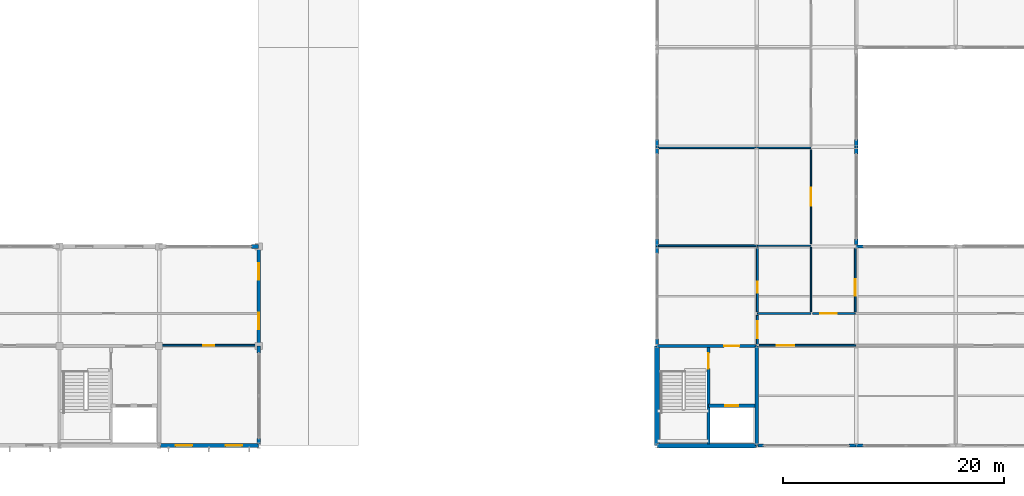
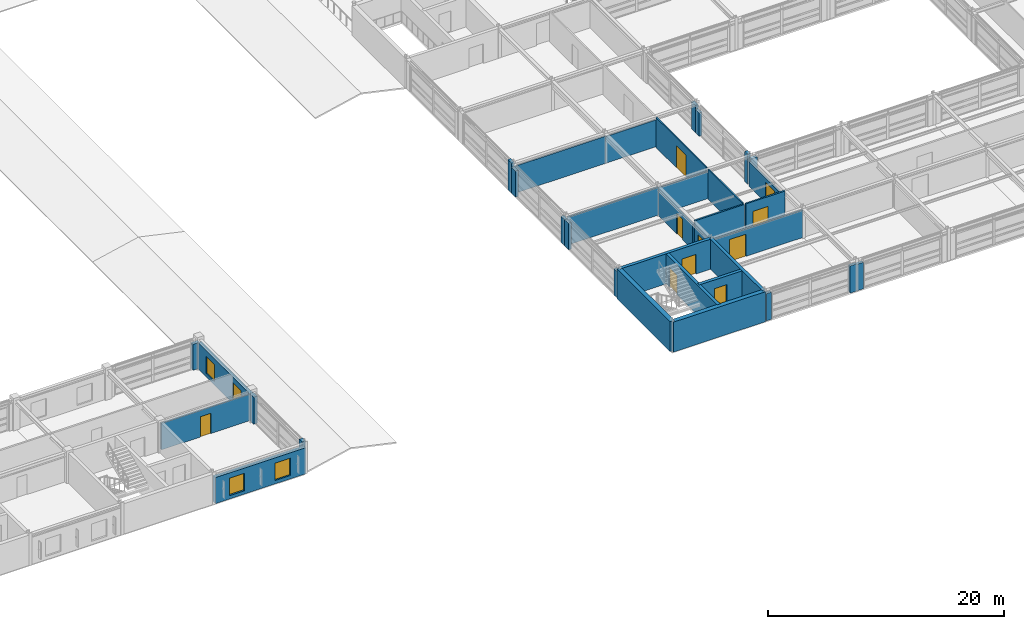
# One storey, part 74 of 91: 36 walls, 10 doors, 4 windows, 14 openings.
"""IFC4 building model written with IfcOpenShell, lengths in metres."""

from ifc_helpers import new_model, si_unit, direction, frame, frame_2d, origin, place, context, subcontext, project, spatial, rectangle, extrude, material, layer, layer_set, type_object, element, fill, save


model = new_model("IFC4")

# Units and contexts
model_context = context("Model", 3, precision=1e-05, world=origin(), true_north=direction((0.0, 1.0)))
body_context = subcontext(model_context, "Body", "Model", "MODEL_VIEW")
ifc_project = project(units=[si_unit("LENGTHUNIT", "METRE"), si_unit("AREAUNIT", "SQUARE_METRE"), si_unit("VOLUMEUNIT", "CUBIC_METRE"), si_unit("PLANEANGLEUNIT", "RADIAN"), si_unit("MASSUNIT", "GRAM", prefix="KILO")], contexts=[model_context])

# Site, building, storey
site_placement = place(None, origin())
site = spatial("IfcSite", under=ifc_project, at=site_placement, CompositionType="ELEMENT")
building_placement = place(site_placement, origin())
building = spatial("IfcBuilding", under=site, at=building_placement, Name="Palais des Congres Ocreval", CompositionType="ELEMENT")
storey_placement = place(building_placement, frame((0.0, 0.0, 8.159912109375)))
storey = spatial("IfcBuildingStorey", under=building, at=storey_placement, Name="L02", CompositionType="ELEMENT", Elevation=8.159912109375)

# Walls
ifc_material_1 = material(Name="Concrete C40/50", Category="concrete")
ifc_layer_1 = layer(ifc_material_1, 0.419921875)
ifc_layer_set_1 = layer_set([ifc_layer_1], Name="Congress Stone Facade Wall 420 Concrete C40/50")
wall_type_1 = type_object("IfcWallType", Name="Congress Stone Facade Wall 420 Concrete C40/50", PredefinedType="SOLIDWALL", material=ifc_layer_set_1)
for number, where, z_axis, x_axis, name in (
    (1, (117.0, 0.0, 0.0), (0.0, 0.0, 1.0), (-1.0, 0.0, 0.0), "Core Perimeter Shear Wall EW02 SC09 L02"),
    (2, (108.0, 0.0, 0.0), (0.0, 0.0, 1.0), (0.0, 1.0, 0.0), "Core Perimeter Shear Wall EW02 SC09 L02"),
):
    element("IfcWall", number, at=place(storey_placement, frame(where, z_axis=z_axis, x_axis=x_axis)), inside=storey, type_object=wall_type_1, Name=name, PredefinedType="SOLIDWALL", context=body_context, shape_type="SweptSolid", body=[
        extrude(rectangle(XDim=9.0, YDim=0.419921875, at=frame_2d((4.5, 0.0))), origin(), (0.0, 0.0, 1.0), 3.110107421875),
    ])
ifc_layer_2 = layer(ifc_material_1, 0.300048828125)
ifc_layer_set_2 = layer_set([ifc_layer_2], Name="Core Shear Wall 300 Concrete C40/50")
wall_type_2 = type_object("IfcWallType", Name="Core Shear Wall 300 Concrete C40/50", PredefinedType="SHEAR", material=ifc_layer_set_2)
wall_1_placement = place(storey_placement, frame((117.0, 0.0, 0.0), z_axis=(0.0, 0.0, 1.0), x_axis=(0.0, 1.0, 0.0)))
element("IfcWall", 3, at=wall_1_placement, inside=storey, type_object=wall_type_2, Name="Core Shear Wall SC09 L02 E", PredefinedType="SHEAR", context=body_context, shape_type="SweptSolid", body=[
    extrude(rectangle(XDim=9.0, YDim=0.300048828125, at=frame_2d((4.5, 0.0))), origin(), (0.0, 0.0, 1.0), 3.110107421875),
])

# Wall, opening, door
wall_2_placement = place(storey_placement, frame((108.0, 9.0, 0.0), z_axis=(0.0, 0.0, 1.0), x_axis=(1.0, 0.0, 0.0)))
wall_2 = element("IfcWall", 4, at=wall_2_placement, inside=storey, type_object=wall_type_2, Name="Core Shear Wall SC09 L02 N", PredefinedType="SHEAR", context=body_context, shape_type="SweptSolid", body=[
    extrude(rectangle(XDim=9.0, YDim=0.300048828125, at=frame_2d((4.5, 0.0))), origin(), (0.0, 0.0, 1.0), 3.110107421875),
])
opening_1_placement = place(wall_2_placement, frame((6.050048828125, 0.0, 0.0)))
opening_1 = element("IfcOpeningElement", 5, at=opening_1_placement, cuts=wall_2, Name="Opening D03", PredefinedType="OPENING", context=body_context, shape_type="SweptSolid", body=[
    extrude(rectangle(XDim=1.39990234375, YDim=2.02001953125, at=frame_2d((0.699951171875, 1.010009765625))), frame((0.0, 0.159912109375, 0.0), z_axis=(0.0, -1.0, 0.0), x_axis=(1.0, 0.0, 0.0)), (0.0, 0.0, 1.0), 0.320068359375),
])
ifc_material_2 = material(Name="Painted fire-rated steel", Category="steel")
door_type_1 = type_object("IfcDoorType", Name="Core Lobby Rated Door 1400x2020", OperationType="NOTDEFINED", PredefinedType="DOOR", material=ifc_material_2)
door_1_placement = place(opening_1_placement, origin())
door_1 = element("IfcDoor", 6, at=door_1_placement, inside=storey, type_object=door_type_1, Name="Lobby Entrance Door SC09 L02", OperationType="DOUBLE_DOOR_SINGLE_SWING", OverallHeight=2.02001953125, OverallWidth=1.39990234375, PredefinedType="DOOR", context=body_context, shape_type="SweptSolid", body=[
    extrude(rectangle(XDim=1.39990234375, YDim=2.02001953125, at=frame_2d((0.699951171875, 1.010009765625))), frame((0.0, 0.02490234375, 0.0), z_axis=(0.0, -1.0, 0.0), x_axis=(1.0, 0.0, 0.0)), (0.0, 0.0, 1.0), 0.050048828125),
])
fill(opening_1, door_1)

wall_3_placement = place(storey_placement, frame((112.64990234375, 0.14990234375, 0.0), z_axis=(0.0, 0.0, 1.0), x_axis=(0.0, 1.0, 0.0)))
wall_3 = element("IfcWall", 7, at=wall_3_placement, inside=storey, type_object=wall_type_2, Name="Core Spine Shear Wall SC09 L02", PredefinedType="SHEAR", context=body_context, shape_type="SweptSolid", body=[
    extrude(rectangle(XDim=8.7001953125, YDim=0.300048828125, at=frame_2d((4.35009765625, 0.0))), origin(), (0.0, 0.0, 1.0), 3.110107421875),
])
opening_2_placement = place(wall_3_placement, frame((6.800048828125, 0.0, 0.0)))
opening_2 = element("IfcOpeningElement", 8, at=opening_2_placement, cuts=wall_3, Name="Opening D03", PredefinedType="OPENING", context=body_context, shape_type="SweptSolid", body=[
    extrude(rectangle(XDim=1.39990234375, YDim=2.02001953125, at=frame_2d((0.699951171875, 1.010009765625))), frame((0.0, 0.159912109375, 0.0), z_axis=(0.0, -1.0, 0.0), x_axis=(1.0, 0.0, 0.0)), (0.0, 0.0, 1.0), 0.320068359375),
])
door_2_placement = place(opening_2_placement, origin())
door_2 = element("IfcDoor", 9, at=door_2_placement, inside=storey, type_object=door_type_1, Name="Protected Exit Stair Door ST09 L02", OperationType="SINGLE_SWING_LEFT", OverallHeight=2.02001953125, OverallWidth=1.39990234375, PredefinedType="DOOR", context=body_context, shape_type="SweptSolid", body=[
    extrude(rectangle(XDim=1.39990234375, YDim=2.02001953125, at=frame_2d((0.699951171875, 1.010009765625))), frame((0.0, 0.02490234375, 0.0), z_axis=(0.0, -1.0, 0.0), x_axis=(1.0, 0.0, 0.0)), (0.0, 0.0, 1.0), 0.050048828125),
])
fill(opening_2, door_2)

wall_4_placement = place(storey_placement, frame((112.64990234375, 3.60009765625, 0.0), z_axis=(0.0, 0.0, 1.0), x_axis=(1.0, 0.0, 0.0)))
wall_4 = element("IfcWall", 10, at=wall_4_placement, inside=storey, type_object=wall_type_2, Name="Lift Shaft Front Wall SC09 L02", PredefinedType="SHEAR", context=body_context, shape_type="SweptSolid", body=[
    extrude(rectangle(XDim=4.2001953125, YDim=0.300048828125, at=frame_2d((2.10009765625, 0.0))), origin(), (0.0, 0.0, 1.0), 3.110107421875),
])
opening_3_placement = place(wall_4_placement, frame((1.5, 0.0, 0.0)))
opening_3 = element("IfcOpeningElement", 11, at=opening_3_placement, cuts=wall_4, Name="Opening LD02", PredefinedType="OPENING", context=body_context, shape_type="SweptSolid", body=[
    extrude(rectangle(XDim=1.199951171875, YDim=2.199951171875, at=frame_2d((0.60009765625, 1.10009765625))), frame((0.0, 0.159912109375, 0.0), z_axis=(0.0, -1.0, 0.0), x_axis=(1.0, 0.0, 0.0)), (0.0, 0.0, 1.0), 0.320068359375),
])
ifc_material_3 = material(Name="Anodized bronze steel", Category="steel")
door_type_2 = type_object("IfcDoorType", Name="Passenger and Service Lift Sliding Door 1200x2200", OperationType="NOTDEFINED", PredefinedType="DOOR", material=ifc_material_3)
door_3_placement = place(opening_3_placement, origin())
door_3 = element("IfcDoor", 12, at=door_3_placement, inside=storey, type_object=door_type_2, Name="Lift Landing Sliding Door CL3 L02", OperationType="DOUBLE_DOOR_SLIDING", OverallHeight=2.199951171875, OverallWidth=1.199951171875, PredefinedType="DOOR", context=body_context, shape_type="SweptSolid", body=[
    extrude(rectangle(XDim=1.199951171875, YDim=2.199951171875, at=frame_2d((0.60009765625, 1.10009765625))), frame((0.0, 0.02490234375, 0.0), z_axis=(0.0, -1.0, 0.0), x_axis=(1.0, 0.0, 0.0)), (0.0, 0.0, 1.0), 0.050048828125),
])
fill(opening_3, door_3)

# Walls
ifc_material_4 = material(Name="Gypsum acoustic partition")
ifc_layer_3 = layer(ifc_material_4, 0.159912109375)
ifc_layer_set_3 = layer_set([ifc_layer_3], Name="Corridor Fire Partition 160 Gypsum (Gypsum acoustic partition)")
wall_type_3 = type_object("IfcWallType", Name="Corridor Fire Partition 160 Gypsum", PredefinedType="PARTITIONING", material=ifc_layer_set_3)
wall_5_placement = place(storey_placement, frame((108.14501953125, 18.06494140625, 0.0), z_axis=(0.0, 0.0, 1.0), x_axis=(1.0, 0.0, 0.0)))
element("IfcWall", 13, at=wall_5_placement, inside=storey, type_object=wall_type_3, Name="Interior Partition IW03 L02", PredefinedType="PARTITIONING", context=body_context, shape_type="SweptSolid", body=[
    extrude(rectangle(XDim=8.9150390625, YDim=0.159912109375, at=frame_2d((4.45751953125, 0.0))), origin(), (0.0, 0.0, 1.0), 2.8701171875),
])
wall_6_placement = place(storey_placement, frame((117.070068359375, 11.93505859375, 0.0), z_axis=(0.0, 0.0, 1.0), x_axis=(1.0, 0.0, 0.0)))
element("IfcWall", 14, at=wall_6_placement, inside=storey, type_object=wall_type_3, Name="Interior Partition IW03 L02", PredefinedType="PARTITIONING", context=body_context, shape_type="SweptSolid", body=[
    extrude(rectangle(XDim=4.829833984375, YDim=0.159912109375, at=frame_2d((2.4150390625, 0.0))), origin(), (0.0, 0.0, 1.0), 3.110107421875),
])

# Wall, opening, door
wall_7_placement = place(storey_placement, frame((63.155029296875, 9.06494140625, 0.0), z_axis=(0.0, 0.0, 1.0), x_axis=(1.0, 0.0, 0.0)))
wall_7 = element("IfcWall", 15, at=wall_7_placement, inside=storey, type_object=wall_type_3, Name="Interior Partition IW03 L02", PredefinedType="PARTITIONING", context=body_context, shape_type="SweptSolid", body=[
    extrude(rectangle(XDim=8.669921875, YDim=0.159912109375, at=frame_2d((4.3349609375, 0.0))), origin(), (0.0, 0.0, 1.0), 2.739990234375),
])
opening_4_placement = place(wall_7_placement, frame((3.8349609375, 0.0, 0.0)))
opening_4 = element("IfcOpeningElement", 16, at=opening_4_placement, cuts=wall_7, Name="Opening D10", PredefinedType="OPENING", context=body_context, shape_type="SweptSolid", body=[
    extrude(rectangle(XDim=1.0, YDim=2.10009765625, at=frame_2d((0.5, 1.050048828125))), frame((0.0, 0.08984375, 0.0), z_axis=(0.0, -1.0, 0.0), x_axis=(1.0, 0.0, 0.0)), (0.0, 0.0, 1.0), 0.179931640625),
])
ifc_material_5 = material(Name="Painted steel", Category="steel")
door_type_3 = type_object("IfcDoorType", Name="Service and Pantry Door 1000x2100", OperationType="NOTDEFINED", PredefinedType="DOOR", material=ifc_material_5)
door_4_placement = place(opening_4_placement, origin())
door_4 = element("IfcDoor", 17, at=door_4_placement, inside=storey, type_object=door_type_3, Name="Interior Door D10 L02", OperationType="SINGLE_SWING_RIGHT", OverallHeight=2.10009765625, OverallWidth=1.0, PredefinedType="DOOR", context=body_context, shape_type="SweptSolid", body=[
    extrude(rectangle(XDim=1.0, YDim=2.10009765625, at=frame_2d((0.5, 1.050048828125))), frame((0.0, 0.02490234375, 0.0), z_axis=(0.0, -1.0, 0.0), x_axis=(1.0, 0.0, 0.0)), (0.0, 0.0, 1.0), 0.050048828125),
])
fill(opening_4, door_4)

wall_8_placement = place(storey_placement, frame((117.06494140625, 9.155029296875, 0.0), z_axis=(0.0, 0.0, 1.0), x_axis=(0.0, 1.0, 0.0)))
wall_8 = element("IfcWall", 18, at=wall_8_placement, inside=storey, type_object=wall_type_3, Name="Interior Partition IW03 L02", PredefinedType="PARTITIONING", context=body_context, shape_type="SweptSolid", body=[
    extrude(rectangle(XDim=2.625, YDim=0.159912109375, at=frame_2d((1.3125, 0.0))), origin(), (0.0, 0.0, 1.0), 2.610107421875),
])
opening_5_placement = place(wall_8_placement, frame((0.5625, 0.0, 0.0)))
opening_5 = element("IfcOpeningElement", 19, at=opening_5_placement, cuts=wall_8, Name="Opening D04", PredefinedType="OPENING", context=body_context, shape_type="SweptSolid", body=[
    extrude(rectangle(XDim=1.5, YDim=2.10009765625, at=frame_2d((0.75, 1.050048828125))), frame((0.0, 0.08984375, 0.0), z_axis=(0.0, -1.0, 0.0), x_axis=(1.0, 0.0, 0.0)), (0.0, 0.0, 1.0), 0.179931640625),
])
ifc_material_6 = material(Name="Solid French oak fire door", Category="wood")
door_type_4 = type_object("IfcDoorType", Name="Corridor Compartment Double Door 1500x2100", OperationType="NOTDEFINED", PredefinedType="DOOR", material=ifc_material_6)
door_5_placement = place(opening_5_placement, origin())
door_5 = element("IfcDoor", 20, at=door_5_placement, inside=storey, type_object=door_type_4, Name="Interior Door D04 L02", OperationType="DOUBLE_DOOR_SINGLE_SWING", OverallHeight=2.10009765625, OverallWidth=1.5, PredefinedType="DOOR", context=body_context, shape_type="SweptSolid", body=[
    extrude(rectangle(XDim=1.5, YDim=2.10009765625, at=frame_2d((0.75, 1.050048828125))), frame((0.0, 0.02490234375, 0.0), z_axis=(0.0, -1.0, 0.0), x_axis=(1.0, 0.0, 0.0)), (0.0, 0.0, 1.0), 0.050048828125),
])
fill(opening_5, door_5)

wall_9_placement = place(storey_placement, frame((117.06494140625, 12.090087890625, 0.0), z_axis=(0.0, 0.0, 1.0), x_axis=(0.0, 1.0, 0.0)))
wall_9 = element("IfcWall", 21, at=wall_9_placement, inside=storey, type_object=wall_type_3, Name="Interior Partition IW03 L02", PredefinedType="PARTITIONING", context=body_context, shape_type="SweptSolid", body=[
    extrude(rectangle(XDim=5.81982421875, YDim=0.159912109375, at=frame_2d((2.909912109375, 0.0))), origin(), (0.0, 0.0, 1.0), 2.610107421875),
])
opening_6_placement = place(wall_9_placement, frame((1.711669921875, 0.0, 0.0)))
opening_6 = element("IfcOpeningElement", 22, at=opening_6_placement, cuts=wall_9, Name="Opening D10", PredefinedType="OPENING", context=body_context, shape_type="SweptSolid", body=[
    extrude(rectangle(XDim=1.0, YDim=2.10009765625, at=frame_2d((0.5, 1.050048828125))), frame((0.0, 0.08984375, 0.0), z_axis=(0.0, -1.0, 0.0), x_axis=(1.0, 0.0, 0.0)), (0.0, 0.0, 1.0), 0.179931640625),
])
door_6_placement = place(opening_6_placement, origin())
door_6 = element("IfcDoor", 23, at=door_6_placement, inside=storey, type_object=door_type_3, Name="Interior Door D10 L02", OperationType="SINGLE_SWING_LEFT", OverallHeight=2.10009765625, OverallWidth=1.0, PredefinedType="DOOR", context=body_context, shape_type="SweptSolid", body=[
    extrude(rectangle(XDim=1.0, YDim=2.10009765625, at=frame_2d((0.5, 1.050048828125))), frame((0.0, 0.02490234375, 0.0), z_axis=(0.0, -1.0, 0.0), x_axis=(1.0, 0.0, 0.0)), (0.0, 0.0, 1.0), 0.050048828125),
])
fill(opening_6, door_6)

wall_10_placement = place(storey_placement, frame((117.219970703125, 9.06494140625, 0.0), z_axis=(0.0, 0.0, 1.0), x_axis=(1.0, 0.0, 0.0)))
wall_10 = element("IfcWall", 24, at=wall_10_placement, inside=storey, type_object=wall_type_3, Name="Interior Partition IW03 L02", PredefinedType="PARTITIONING", context=body_context, shape_type="SweptSolid", body=[
    extrude(rectangle(XDim=8.760009765625, YDim=0.159912109375, at=frame_2d((4.3798828125, 0.0))), origin(), (0.0, 0.0, 1.0), 2.830078125),
])
opening_7_placement = place(wall_10_placement, frame((1.60009765625, 0.0, 0.0)))
opening_7 = element("IfcOpeningElement", 25, at=opening_7_placement, cuts=wall_10, Name="Opening D12", PredefinedType="OPENING", context=body_context, shape_type="SweptSolid", body=[
    extrude(rectangle(XDim=1.60009765625, YDim=2.300048828125, at=frame_2d((0.800048828125, 1.14990234375))), frame((0.0, 0.08984375, 0.0), z_axis=(0.0, -1.0, 0.0), x_axis=(1.0, 0.0, 0.0)), (0.0, 0.0, 1.0), 0.179931640625),
])
ifc_material_7 = material(Name="Solid French oak", Category="wood")
door_type_5 = type_object("IfcDoorType", Name="Meeting Room Acoustic Double Door 1600x2300", OperationType="NOTDEFINED", PredefinedType="DOOR", material=ifc_material_7)
door_7_placement = place(opening_7_placement, origin())
door_7 = element("IfcDoor", 26, at=door_7_placement, inside=storey, type_object=door_type_5, Name="Interior Door D12 L02", OperationType="DOUBLE_DOOR_SINGLE_SWING", OverallHeight=2.300048828125, OverallWidth=1.60009765625, PredefinedType="DOOR", context=body_context, shape_type="SweptSolid", body=[
    extrude(rectangle(XDim=1.60009765625, YDim=2.300048828125, at=frame_2d((0.800048828125, 1.14990234375))), frame((0.0, 0.02490234375, 0.0), z_axis=(0.0, -1.0, 0.0), x_axis=(1.0, 0.0, 0.0)), (0.0, 0.0, 1.0), 0.050048828125),
])
fill(opening_7, door_7)

wall_11_placement = place(storey_placement, frame((122.06494140625, 11.93505859375, 0.0), z_axis=(0.0, 0.0, 1.0), x_axis=(1.0, 0.0, 0.0)))
wall_11 = element("IfcWall", 27, at=wall_11_placement, inside=storey, type_object=wall_type_3, Name="Interior Partition IW03 L02", PredefinedType="PARTITIONING", context=body_context, shape_type="SweptSolid", body=[
    extrude(rectangle(XDim=3.8349609375, YDim=0.159912109375, at=frame_2d((1.91748046875, 0.0))), origin(), (0.0, 0.0, 1.0), 3.110107421875),
])
opening_8_placement = place(wall_11_placement, frame((0.68505859375, 0.0, 0.0)))
opening_8 = element("IfcOpeningElement", 28, at=opening_8_placement, cuts=wall_11, Name="Opening D04", PredefinedType="OPENING", context=body_context, shape_type="SweptSolid", body=[
    extrude(rectangle(XDim=1.5, YDim=2.10009765625, at=frame_2d((0.75, 1.050048828125))), frame((0.0, 0.08984375, 0.0), z_axis=(0.0, -1.0, 0.0), x_axis=(1.0, 0.0, 0.0)), (0.0, 0.0, 1.0), 0.179931640625),
])
door_8_placement = place(opening_8_placement, origin())
door_8 = element("IfcDoor", 29, at=door_8_placement, inside=storey, type_object=door_type_4, Name="Interior Door D04 L02", OperationType="DOUBLE_DOOR_SINGLE_SWING", OverallHeight=2.10009765625, OverallWidth=1.5, PredefinedType="DOOR", context=body_context, shape_type="SweptSolid", body=[
    extrude(rectangle(XDim=1.5, YDim=2.10009765625, at=frame_2d((0.75, 1.050048828125))), frame((0.0, 0.02490234375, 0.0), z_axis=(0.0, -1.0, 0.0), x_axis=(1.0, 0.0, 0.0)), (0.0, 0.0, 1.0), 0.050048828125),
])
fill(opening_8, door_8)

wall_12_placement = place(storey_placement, frame((125.909912109375, 12.090087890625, 0.0), z_axis=(0.0, 0.0, 1.0), x_axis=(0.0, 1.0, 0.0)))
wall_12 = element("IfcWall", 30, at=wall_12_placement, inside=storey, type_object=wall_type_3, Name="Interior Partition IW03 L02", PredefinedType="PARTITIONING", context=body_context, shape_type="SweptSolid", body=[
    extrude(rectangle(XDim=5.764892578125, YDim=0.159912109375, at=frame_2d((2.88232421875, 0.0))), origin(), (0.0, 0.0, 1.0), 2.510009765625),
])
opening_9_placement = place(wall_12_placement, frame((1.440673828125, 0.0, 0.0)))
opening_9 = element("IfcOpeningElement", 31, at=opening_9_placement, cuts=wall_12, Name="Opening D04", PredefinedType="OPENING", context=body_context, shape_type="SweptSolid", body=[
    extrude(rectangle(XDim=1.5, YDim=2.10009765625, at=frame_2d((0.75, 1.050048828125))), frame((0.0, 0.08984375, 0.0), z_axis=(0.0, -1.0, 0.0), x_axis=(1.0, 0.0, 0.0)), (0.0, 0.0, 1.0), 0.179931640625),
])
door_9_placement = place(opening_9_placement, origin())
door_9 = element("IfcDoor", 32, at=door_9_placement, inside=storey, type_object=door_type_4, Name="Interior Door D04 L02", OperationType="DOUBLE_DOOR_SINGLE_SWING", OverallHeight=2.10009765625, OverallWidth=1.5, PredefinedType="DOOR", context=body_context, shape_type="SweptSolid", body=[
    extrude(rectangle(XDim=1.5, YDim=2.10009765625, at=frame_2d((0.75, 1.050048828125))), frame((0.0, 0.02490234375, 0.0), z_axis=(0.0, -1.0, 0.0), x_axis=(1.0, 0.0, 0.0)), (0.0, 0.0, 1.0), 0.050048828125),
])
fill(opening_9, door_9)

# Wall, openings, windows
ifc_layer_4 = layer(ifc_material_1, 0.3798828125)
ifc_layer_set_4 = layer_set([ifc_layer_4], Name="Lutetian Limestone Street Wall 380 Concrete C40/50")
wall_type_4 = type_object("IfcWallType", Name="Lutetian Limestone Street Wall 380 Concrete C40/50", PredefinedType="SOLIDWALL", material=ifc_layer_set_4)
wall_13_placement = place(storey_placement, frame((72.0, 0.0, 0.0), z_axis=(0.0, 0.0, 1.0), x_axis=(-1.0, 0.0, 0.0)))
wall_13 = element("IfcWall", 33, at=wall_13_placement, inside=storey, type_object=wall_type_4, Name="Exterior Wall EW03 L02", PredefinedType="SOLIDWALL", context=body_context, shape_type="SweptSolid", body=[
    extrude(rectangle(XDim=8.8701171875, YDim=0.3798828125, at=frame_2d((4.43505859375, 0.0))), origin(), (0.0, 0.0, 1.0), 2.7001953125),
])
opening_10_placement = place(wall_13_placement, frame((1.5, 0.0, 0.35009765625)))
opening_10 = element("IfcOpeningElement", 34, at=opening_10_placement, cuts=wall_13, Name="Opening WN06", PredefinedType="OPENING", context=body_context, shape_type="SweptSolid", body=[
    extrude(rectangle(XDim=1.5, YDim=1.800048828125, at=frame_2d((0.75, 0.89990234375))), frame((0.0, 0.199951171875, 0.0), z_axis=(0.0, -1.0, 0.0), x_axis=(1.0, 0.0, 0.0)), (0.0, 0.0, 1.0), 0.39990234375),
])
opening_11_placement = place(wall_13_placement, frame((6.0, 0.0, 0.35009765625)))
opening_11 = element("IfcOpeningElement", 35, at=opening_11_placement, cuts=wall_13, Name="Opening WN06", PredefinedType="OPENING", context=body_context, shape_type="SweptSolid", body=[
    extrude(rectangle(XDim=1.5, YDim=1.800048828125, at=frame_2d((0.75, 0.89990234375))), frame((0.0, 0.199951171875, 0.0), z_axis=(0.0, -1.0, 0.0), x_axis=(1.0, 0.0, 0.0)), (0.0, 0.0, 1.0), 0.39990234375),
])
ifc_material_8 = material(Name="Anodized bronze aluminium and low-E glass", Category="glass")
window_type = type_object("IfcWindowType", Name="Upper Setback Window 1500x1800", PartitioningType="SINGLE_PANEL", PredefinedType="WINDOW", material=ifc_material_8)
window_1_placement = place(opening_10_placement, origin())
window_1 = element("IfcWindow", 36, at=window_1_placement, inside=storey, type_object=window_type, Name="Hotel Facade Window WN06", OverallHeight=1.800048828125, OverallWidth=1.5, PartitioningType="SINGLE_PANEL", PredefinedType="WINDOW", context=body_context, shape_type="SweptSolid", body=[
    extrude(rectangle(XDim=1.5, YDim=1.800048828125, at=frame_2d((0.75, 0.89990234375))), frame((0.0, 0.030029296875, 0.0), z_axis=(0.0, -1.0, 0.0), x_axis=(1.0, 0.0, 0.0)), (0.0, 0.0, 1.0), 0.06005859375),
])
fill(opening_10, window_1)
window_2_placement = place(opening_11_placement, origin())
window_2 = element("IfcWindow", 37, at=window_2_placement, inside=storey, type_object=window_type, Name="Hotel Facade Window WN06", OverallHeight=1.800048828125, OverallWidth=1.5, PartitioningType="SINGLE_PANEL", PredefinedType="WINDOW", context=body_context, shape_type="SweptSolid", body=[
    extrude(rectangle(XDim=1.5, YDim=1.800048828125, at=frame_2d((0.75, 0.89990234375))), frame((0.0, 0.030029296875, 0.0), z_axis=(0.0, -1.0, 0.0), x_axis=(1.0, 0.0, 0.0)), (0.0, 0.0, 1.0), 0.06005859375),
])
fill(opening_11, window_2)

ifc_layer_5 = layer(ifc_material_1, 0.340087890625)
ifc_layer_set_5 = layer_set([ifc_layer_5], Name="Ochre Mineral-Lime Courtyard Wall 340 Concrete C40/50")
wall_type_5 = type_object("IfcWallType", Name="Ochre Mineral-Lime Courtyard Wall 340 Concrete C40/50", PredefinedType="SOLIDWALL", material=ifc_layer_set_5)
wall_14_placement = place(storey_placement, frame((72.0, 17.844970703125, 0.0), z_axis=(0.0, 0.0, 1.0), x_axis=(0.0, -1.0, 0.0)))
wall_14 = element("IfcWall", 38, at=wall_14_placement, inside=storey, type_object=wall_type_5, Name="Exterior Wall EW04 L02", PredefinedType="SOLIDWALL", context=body_context, shape_type="SweptSolid", body=[
    extrude(rectangle(XDim=8.844970703125, YDim=0.340087890625, at=frame_2d((4.42236328125, 0.0))), origin(), (0.0, 0.0, 1.0), 2.739990234375),
])
opening_12_placement = place(wall_14_placement, frame((1.344970703125, 0.0, 0.35009765625)))
opening_12 = element("IfcOpeningElement", 39, at=opening_12_placement, cuts=wall_14, Name="Opening WN06", PredefinedType="OPENING", context=body_context, shape_type="SweptSolid", body=[
    extrude(rectangle(XDim=1.5, YDim=1.800048828125, at=frame_2d((0.75, 0.89990234375))), frame((0.0, 0.179931640625, 0.0), z_axis=(0.0, -1.0, 0.0), x_axis=(1.0, 0.0, 0.0)), (0.0, 0.0, 1.0), 0.360107421875),
])
opening_13_placement = place(wall_14_placement, frame((5.844970703125, 0.0, 0.35009765625)))
opening_13 = element("IfcOpeningElement", 40, at=opening_13_placement, cuts=wall_14, Name="Opening WN06", PredefinedType="OPENING", context=body_context, shape_type="SweptSolid", body=[
    extrude(rectangle(XDim=1.5, YDim=1.800048828125, at=frame_2d((0.75, 0.89990234375))), frame((0.0, 0.179931640625, 0.0), z_axis=(0.0, -1.0, 0.0), x_axis=(1.0, 0.0, 0.0)), (0.0, 0.0, 1.0), 0.360107421875),
])
window_3_placement = place(opening_12_placement, origin())
window_3 = element("IfcWindow", 41, at=window_3_placement, inside=storey, type_object=window_type, Name="Hotel Facade Window WN06", OverallHeight=1.800048828125, OverallWidth=1.5, PartitioningType="SINGLE_PANEL", PredefinedType="WINDOW", context=body_context, shape_type="SweptSolid", body=[
    extrude(rectangle(XDim=1.5, YDim=1.800048828125, at=frame_2d((0.75, 0.89990234375))), frame((0.0, 0.030029296875, 0.0), z_axis=(0.0, -1.0, 0.0), x_axis=(1.0, 0.0, 0.0)), (0.0, 0.0, 1.0), 0.06005859375),
])
fill(opening_12, window_3)
window_4_placement = place(opening_13_placement, origin())
window_4 = element("IfcWindow", 42, at=window_4_placement, inside=storey, type_object=window_type, Name="Hotel Facade Window WN06", OverallHeight=1.800048828125, OverallWidth=1.5, PartitioningType="SINGLE_PANEL", PredefinedType="WINDOW", context=body_context, shape_type="SweptSolid", body=[
    extrude(rectangle(XDim=1.5, YDim=1.800048828125, at=frame_2d((0.75, 0.89990234375))), frame((0.0, 0.030029296875, 0.0), z_axis=(0.0, -1.0, 0.0), x_axis=(1.0, 0.0, 0.0)), (0.0, 0.0, 1.0), 0.06005859375),
])
fill(opening_13, window_4)

# Walls
wall_15_placement = place(storey_placement, frame((72.0, 9.0, 0.0), z_axis=(0.0, 0.0, 1.0), x_axis=(0.0, -1.0, 0.0)))
element("IfcWall", 43, at=wall_15_placement, inside=storey, type_object=wall_type_5, Name="Facade Pier EW04 L02", PredefinedType="SOLIDWALL", context=body_context, shape_type="SweptSolid", body=[
    extrude(rectangle(XDim=0.64990234375, YDim=0.340087890625, at=frame_2d((0.324951171875, 0.0))), origin(), (0.0, 0.0, 1.0), 2.800048828125),
])
wall_16_placement = place(storey_placement, frame((72.0, 0.64990234375, 0.0), z_axis=(0.0, 0.0, 1.0), x_axis=(0.0, -1.0, 0.0)))
element("IfcWall", 44, at=wall_16_placement, inside=storey, type_object=wall_type_5, Name="Facade Pier EW04 L02", PredefinedType="SOLIDWALL", context=body_context, shape_type="SweptSolid", body=[
    extrude(rectangle(XDim=0.494873046875, YDim=0.340087890625, at=frame_2d((0.24755859375, 0.0))), origin(), (0.0, 0.0, 1.0), 3.14013671875),
])
wall_17_placement = place(storey_placement, frame((71.35009765625, 18.0, 0.0), z_axis=(0.0, 0.0, 1.0), x_axis=(1.0, 0.0, 0.0)))
element("IfcWall", 45, at=wall_17_placement, inside=storey, type_object=wall_type_5, Name="Facade Pier EW04 L02", PredefinedType="SOLIDWALL", context=body_context, shape_type="SweptSolid", body=[
    extrude(rectangle(XDim=0.64990234375, YDim=0.340087890625, at=frame_2d((0.324951171875, 0.0))), origin(), (0.0, 0.0, 1.0), 2.7001953125),
])
ifc_material_9 = material(Name="Gypsum board partition")
ifc_layer_6 = layer(ifc_material_9, 0.1201171875)
ifc_layer_set_6 = layer_set([ifc_layer_6], Name="Suite Subdivision Partition 120 Gypsum (Gypsum board partition)")
wall_type_6 = type_object("IfcWallType", Name="Suite Subdivision Partition 120 Gypsum", PredefinedType="PARTITIONING", material=ifc_layer_set_6)
wall_18_placement = place(storey_placement, frame((117.070068359375, 18.06494140625, 0.0), z_axis=(0.0, 0.0, 1.0), x_axis=(1.0, 0.0, 0.0)))
element("IfcWall", 46, at=wall_18_placement, inside=storey, type_object=wall_type_6, Name="Interior Partition IW04 L02", PredefinedType="PARTITIONING", context=body_context, shape_type="SweptSolid", body=[
    extrude(rectangle(XDim=4.829833984375, YDim=0.1201171875, at=frame_2d((2.4150390625, 0.0))), origin(), (0.0, 0.0, 1.0), 2.800048828125),
])
wall_19_placement = place(storey_placement, frame((121.909912109375, 12.090087890625, 0.0), z_axis=(0.0, 0.0, 1.0), x_axis=(0.0, 1.0, 0.0)))
element("IfcWall", 47, at=wall_19_placement, inside=storey, type_object=wall_type_6, Name="Interior Partition IW04 L02", PredefinedType="PARTITIONING", context=body_context, shape_type="SweptSolid", body=[
    extrude(rectangle(XDim=5.81982421875, YDim=0.1201171875, at=frame_2d((2.909912109375, 0.0))), origin(), (0.0, 0.0, 1.0), 3.110107421875),
])
wall_20_placement = place(storey_placement, frame((108.14501953125, 26.909912109375, 0.0), z_axis=(0.0, 0.0, 1.0), x_axis=(1.0, 0.0, 0.0)))
element("IfcWall", 48, at=wall_20_placement, inside=storey, type_object=wall_type_6, Name="Interior Partition IW04 L02", PredefinedType="PARTITIONING", context=body_context, shape_type="SweptSolid", body=[
    extrude(rectangle(XDim=8.8349609375, YDim=0.1201171875, at=frame_2d((4.41748046875, 0.0))), origin(), (0.0, 0.0, 1.0), 2.81005859375),
])

# Wall, opening, door
wall_21_placement = place(storey_placement, frame((121.909912109375, 18.219970703125, 0.0), z_axis=(0.0, 0.0, 1.0), x_axis=(0.0, 1.0, 0.0)))
wall_21 = element("IfcWall", 49, at=wall_21_placement, inside=storey, type_object=wall_type_6, Name="Interior Partition IW04 L02", PredefinedType="PARTITIONING", context=body_context, shape_type="SweptSolid", body=[
    extrude(rectangle(XDim=8.534912109375, YDim=0.1201171875, at=frame_2d((4.267578125, 0.0))), origin(), (0.0, 0.0, 1.0), 3.110107421875),
])
opening_14_placement = place(wall_21_placement, frame((3.467529296875, 0.0, 0.0)))
opening_14 = element("IfcOpeningElement", 50, at=opening_14_placement, cuts=wall_21, Name="Opening D12", PredefinedType="OPENING", context=body_context, shape_type="SweptSolid", body=[
    extrude(rectangle(XDim=1.60009765625, YDim=2.300048828125, at=frame_2d((0.800048828125, 1.14990234375))), frame((0.0, 0.070068359375, 0.0), z_axis=(0.0, -1.0, 0.0), x_axis=(1.0, 0.0, 0.0)), (0.0, 0.0, 1.0), 0.14013671875),
])
door_10_placement = place(opening_14_placement, origin())
door_10 = element("IfcDoor", 51, at=door_10_placement, inside=storey, type_object=door_type_5, Name="Interior Door D12 L02", OperationType="DOUBLE_DOOR_SINGLE_SWING", OverallHeight=2.300048828125, OverallWidth=1.60009765625, PredefinedType="DOOR", context=body_context, shape_type="SweptSolid", body=[
    extrude(rectangle(XDim=1.60009765625, YDim=2.300048828125, at=frame_2d((0.800048828125, 1.14990234375))), frame((0.0, 0.02490234375, 0.0), z_axis=(0.0, -1.0, 0.0), x_axis=(1.0, 0.0, 0.0)), (0.0, 0.0, 1.0), 0.050048828125),
])
fill(opening_14, door_10)

# Walls
wall_22_placement = place(storey_placement, frame((116.97998046875, 26.909912109375, 0.0), z_axis=(0.0, 0.0, 1.0), x_axis=(1.0, 0.0, 0.0)))
element("IfcWall", 52, at=wall_22_placement, inside=storey, type_object=wall_type_6, Name="Interior Partition IW04 L02", PredefinedType="PARTITIONING", context=body_context, shape_type="SweptSolid", body=[
    extrude(rectangle(XDim=4.919921875, YDim=0.1201171875, at=frame_2d((2.4599609375, 0.0))), origin(), (0.0, 0.0, 1.0), 2.77001953125),
])
ifc_layer_7 = layer(ifc_material_1, 0.280029296875)
ifc_layer_set_7 = layer_set([ifc_layer_7], Name="Terracotta Mineral-Lime Facade Wall 280 Concrete C40/50")
wall_type_7 = type_object("IfcWallType", Name="Terracotta Mineral-Lime Facade Wall 280 Concrete C40/50", PredefinedType="SOLIDWALL", material=ifc_layer_set_7)
wall_23_placement = place(storey_placement, frame((126.64990234375, 0.0, 0.0), z_axis=(0.0, 0.0, 1.0), x_axis=(-1.0, 0.0, 0.0)))
element("IfcWall", 53, at=wall_23_placement, inside=storey, type_object=wall_type_7, Name="Facade Pier EW05 L02", PredefinedType="SOLIDWALL", context=body_context, shape_type="SweptSolid", body=[
    extrude(rectangle(XDim=0.64990234375, YDim=0.280029296875, at=frame_2d((0.324951171875, 0.0))), origin(), (0.0, 0.0, 1.0), 2.739990234375),
])
wall_24_placement = place(storey_placement, frame((126.0, 0.0, 0.0), z_axis=(0.0, 0.0, 1.0), x_axis=(-1.0, 0.0, 0.0)))
element("IfcWall", 54, at=wall_24_placement, inside=storey, type_object=wall_type_7, Name="Facade Pier EW05 L02", PredefinedType="SOLIDWALL", context=body_context, shape_type="SweptSolid", body=[
    extrude(rectangle(XDim=0.64990234375, YDim=0.280029296875, at=frame_2d((0.324951171875, 0.0))), origin(), (0.0, 0.0, 1.0), 2.800048828125),
])
wall_25_placement = place(storey_placement, frame((117.64990234375, 0.0, 0.0), z_axis=(0.0, 0.0, 1.0), x_axis=(-1.0, 0.0, 0.0)))
element("IfcWall", 55, at=wall_25_placement, inside=storey, type_object=wall_type_7, Name="Facade Pier EW05 L02", PredefinedType="SOLIDWALL", context=body_context, shape_type="SweptSolid", body=[
    extrude(rectangle(XDim=0.52001953125, YDim=0.280029296875, at=frame_2d((0.260009765625, 0.0))), origin(), (0.0, 0.0, 1.0), 2.800048828125),
])
wall_26_placement = place(storey_placement, frame((108.0, 9.1298828125, 0.0), z_axis=(0.0, 0.0, 1.0), x_axis=(0.0, 1.0, 0.0)))
element("IfcWall", 56, at=wall_26_placement, inside=storey, type_object=wall_type_7, Name="Facade Pier EW05 L02", PredefinedType="SOLIDWALL", context=body_context, shape_type="SweptSolid", body=[
    extrude(rectangle(XDim=0.52001953125, YDim=0.280029296875, at=frame_2d((0.260009765625, 0.0))), origin(), (0.0, 0.0, 1.0), 2.739990234375),
])
wall_27_placement = place(storey_placement, frame((108.0, 17.35009765625, 0.0), z_axis=(0.0, 0.0, 1.0), x_axis=(0.0, 1.0, 0.0)))
element("IfcWall", 57, at=wall_27_placement, inside=storey, type_object=wall_type_7, Name="Facade Pier EW05 L02", PredefinedType="SOLIDWALL", context=body_context, shape_type="SweptSolid", body=[
    extrude(rectangle(XDim=0.64990234375, YDim=0.280029296875, at=frame_2d((0.324951171875, 0.0))), origin(), (0.0, 0.0, 1.0), 2.739990234375),
])
for number, where, z_axis, x_axis, name in (
    (58, (108.0, 18.0, 0.0), (0.0, 0.0, 1.0), (0.0, 1.0, 0.0), "Facade Pier EW05 L02"),
    (59, (108.0, 26.35009765625, 0.0), (0.0, 0.0, 1.0), (0.0, 1.0, 0.0), "Facade Pier EW05 L02"),
):
    element("IfcWall", number, at=place(storey_placement, frame(where, z_axis=z_axis, x_axis=x_axis)), inside=storey, type_object=wall_type_7, Name=name, PredefinedType="SOLIDWALL", context=body_context, shape_type="SweptSolid", body=[
        extrude(rectangle(XDim=0.64990234375, YDim=0.280029296875, at=frame_2d((0.324951171875, 0.0))), origin(), (0.0, 0.0, 1.0), 2.7001953125),
    ])
wall_28_placement = place(storey_placement, frame((108.0, 27.0, 0.0), z_axis=(0.0, 0.0, 1.0), x_axis=(0.0, 1.0, 0.0)))
element("IfcWall", 60, at=wall_28_placement, inside=storey, type_object=wall_type_7, Name="Facade Pier EW05 L02", PredefinedType="SOLIDWALL", context=body_context, shape_type="SweptSolid", body=[
    extrude(rectangle(XDim=0.64990234375, YDim=0.280029296875, at=frame_2d((0.324951171875, 0.0))), origin(), (0.0, 0.0, 1.0), 3.110107421875),
])
wall_29_placement = place(storey_placement, frame((126.0, 27.64990234375, 0.0), z_axis=(0.0, 0.0, 1.0), x_axis=(0.0, -1.0, 0.0)))
element("IfcWall", 61, at=wall_29_placement, inside=storey, type_object=wall_type_7, Name="Facade Pier EW05 L02", PredefinedType="SOLIDWALL", context=body_context, shape_type="SweptSolid", body=[
    extrude(rectangle(XDim=0.64990234375, YDim=0.280029296875, at=frame_2d((0.324951171875, 0.0))), origin(), (0.0, 0.0, 1.0), 2.81005859375),
])
wall_30_placement = place(storey_placement, frame((126.0, 27.0, 0.0), z_axis=(0.0, 0.0, 1.0), x_axis=(0.0, -1.0, 0.0)))
element("IfcWall", 62, at=wall_30_placement, inside=storey, type_object=wall_type_7, Name="Facade Pier EW05 L02", PredefinedType="SOLIDWALL", context=body_context, shape_type="SweptSolid", body=[
    extrude(rectangle(XDim=0.64990234375, YDim=0.280029296875, at=frame_2d((0.324951171875, 0.0))), origin(), (0.0, 0.0, 1.0), 2.41015625),
])
wall_31_placement = place(storey_placement, frame((126.0, 18.64990234375, 0.0), z_axis=(0.0, 0.0, 1.0), x_axis=(0.0, -1.0, 0.0)))
element("IfcWall", 63, at=wall_31_placement, inside=storey, type_object=wall_type_7, Name="Facade Pier EW05 L02", PredefinedType="SOLIDWALL", context=body_context, shape_type="SweptSolid", body=[
    extrude(rectangle(XDim=0.494873046875, YDim=0.280029296875, at=frame_2d((0.24755859375, 0.0))), origin(), (0.0, 0.0, 1.0), 3.110107421875),
])
wall_32_placement = place(storey_placement, frame((126.0, 18.0, 0.0), z_axis=(0.0, 0.0, 1.0), x_axis=(1.0, 0.0, 0.0)))
element("IfcWall", 64, at=wall_32_placement, inside=storey, type_object=wall_type_7, Name="Facade Pier EW05 L02", PredefinedType="SOLIDWALL", context=body_context, shape_type="SweptSolid", body=[
    extrude(rectangle(XDim=0.64990234375, YDim=0.280029296875, at=frame_2d((0.324951171875, 0.0))), origin(), (0.0, 0.0, 1.0), 2.739990234375),
])

save(model, "model.ifc")
